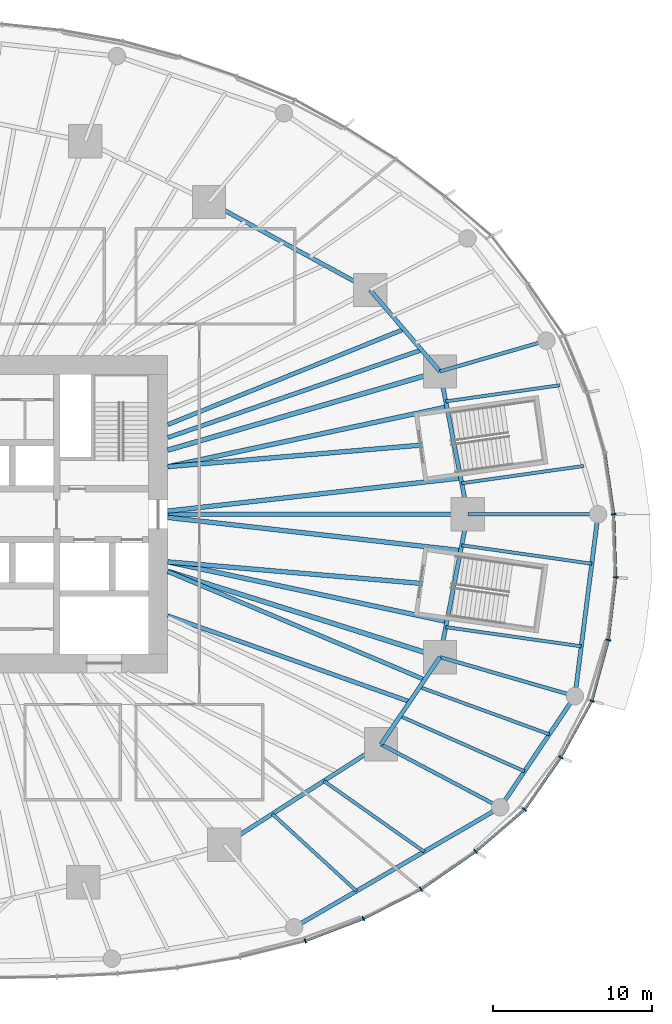
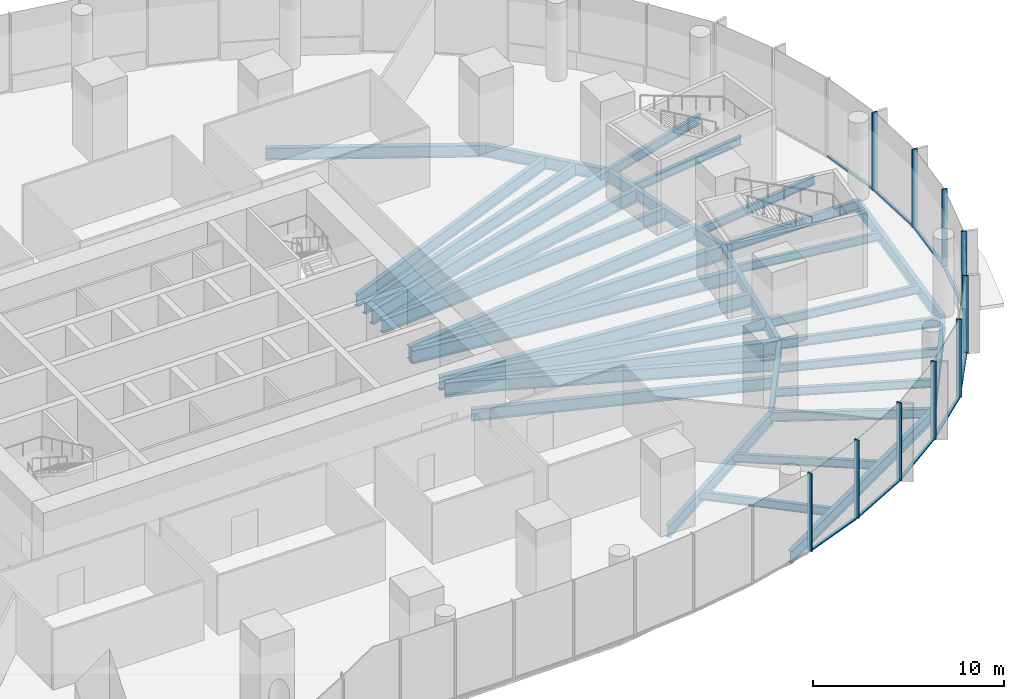
# One storey, part 8 of 28: 34 beams, 20 members, 4 elements without a shape of their own.
"""IFC4 building model written with IfcOpenShell, lengths in metres."""

from ifc_helpers import new_model, si_unit, direction, frame, origin, origin_2d, place, context, subcontext, project, spatial, rectangle, i_section, extrude, material, material_profile, profile_set, type_object, element, aggregate, save


model = new_model("IFC4")

# Units and contexts
model_context = context("Model", 3, precision=1e-05, world=origin(), true_north=direction((0.0, 1.0)))
body_context = subcontext(model_context, "Body", "Model", "MODEL_VIEW")
ifc_project = project(units=[si_unit("LENGTHUNIT", "METRE"), si_unit("AREAUNIT", "SQUARE_METRE"), si_unit("VOLUMEUNIT", "CUBIC_METRE"), si_unit("PLANEANGLEUNIT", "RADIAN"), si_unit("MASSUNIT", "GRAM", prefix="KILO")], contexts=[model_context])

# Site, building, storey
site_placement = place(None, origin())
site = spatial("IfcSite", under=ifc_project, at=site_placement, CompositionType="ELEMENT")
building_placement = place(site_placement, origin())
building = spatial("IfcBuilding", under=site, at=building_placement, Name="Ghaith Harvest Tower", CompositionType="ELEMENT")
storey_placement = place(building_placement, frame((0.0, 0.0, 5.0)))
storey = spatial("IfcBuildingStorey", under=building, at=storey_placement, Name="L01", CompositionType="ELEMENT", Elevation=5.0)

# Curtain wall, member
ifc_material_1 = material(Name="Black anodised aluminium and fritted glass", Category="aluminium")
curtain_wall_type = type_object("IfcCurtainWallType", Name="CW-P CURTAIN WALL", PredefinedType="NOTDEFINED", material=ifc_material_1)
curtain_wall_1_placement = place(storey_placement, origin())
curtain_wall_1 = element("IfcCurtainWall", 1, at=curtain_wall_1_placement, inside=storey, type_object=curtain_wall_type, Name="Curtain wall CW-P bay 01 L01", PredefinedType="NOTDEFINED")
ifc_material_2 = material(Name="Aluminium, black anodised", Category="aluminium")
ifc_material_profile_1 = material_profile(ifc_material_2, rectangle(XDim=0.080078125, YDim=0.300048828125, at=origin_2d()), Name="CW-P MULLION 80x300")
ifc_profile_set_1 = profile_set([ifc_material_profile_1], Name="Aluminium, black anodised")
member_type_1 = type_object("IfcMemberType", Name="CW-P MULLION 80x300", PredefinedType="MULLION", material=ifc_profile_set_1)
member_1_placement = place(storey_placement, frame((42.1201171875, 0.0, 0.0), z_axis=(0.0, 0.0, 1.0), x_axis=(-0.087961950041, 0.996123835346, 0.0)))
member_1 = element("IfcMember", 2, at=member_1_placement, type_object=member_type_1, Name="CW-P mullion 1 bay 01 L01", PredefinedType="MULLION", context=body_context, shape_type="SweptSolid", body=[
    extrude(rectangle(XDim=0.080078125, YDim=0.300048828125, at=origin_2d()), origin(), (0.0, 0.0, 1.0), 5.0),
])

# Curtain wall, members
curtain_wall_2_placement = place(storey_placement, origin())
curtain_wall_2 = element("IfcCurtainWall", 3, at=curtain_wall_2_placement, inside=storey, type_object=curtain_wall_type, Name="Curtain wall CW-P bay 18 L01", PredefinedType="NOTDEFINED")
member_2_placement = place(storey_placement, frame((22.679931640625, -26.895263671875, 0.0), z_axis=(0.0, 0.0, 1.0), x_axis=(0.954194174196, 0.299188031063, 0.0)))
member_2 = element("IfcMember", 4, at=member_2_placement, type_object=member_type_1, Name="CW-P mullion 1 bay 18 L01", PredefinedType="MULLION", context=body_context, shape_type="SweptSolid", body=[
    extrude(rectangle(XDim=0.080078125, YDim=0.300048828125, at=origin_2d()), origin(), (0.0, 0.0, 1.0), 5.0),
])
member_3_placement = place(storey_placement, frame((26.338623046875, -25.4921875, 0.0), z_axis=(0.0, 0.0, 1.0), x_axis=(0.913313717697, 0.407256740972, 0.0)))
member_3 = element("IfcMember", 5, at=member_3_placement, type_object=member_type_1, Name="CW-P mullion 2 bay 18 L01", PredefinedType="MULLION", context=body_context, shape_type="SweptSolid", body=[
    extrude(rectangle(XDim=0.080078125, YDim=0.300048828125, at=origin_2d()), origin(), (0.0, 0.0, 1.0), 5.0),
])
member_4_placement = place(storey_placement, frame((29.9716796875, -23.643798828125, 0.0), z_axis=(0.0, 0.0, 1.0), x_axis=(0.858546653086, 0.512735452719, 0.0)))
member_4 = element("IfcMember", 6, at=member_4_placement, type_object=member_type_1, Name="CW-P mullion 3 bay 18 L01", PredefinedType="MULLION", context=body_context, shape_type="SweptSolid", body=[
    extrude(rectangle(XDim=0.080078125, YDim=0.300048828125, at=origin_2d()), origin(), (0.0, 0.0, 1.0), 5.0),
])

curtain_wall_3_placement = place(storey_placement, origin())
curtain_wall_3 = element("IfcCurtainWall", 7, at=curtain_wall_3_placement, inside=storey, type_object=curtain_wall_type, Name="Curtain wall CW-P bay 19 L01", PredefinedType="NOTDEFINED")
member_5_placement = place(storey_placement, frame((33.41552734375, -21.265869140625, 0.0), z_axis=(0.0, 0.0, 1.0), x_axis=(0.792243116857, 0.610205575026, 0.0)))
member_5 = element("IfcMember", 8, at=member_5_placement, type_object=member_type_1, Name="CW-P mullion 1 bay 19 L01", PredefinedType="MULLION", context=body_context, shape_type="SweptSolid", body=[
    extrude(rectangle(XDim=0.080078125, YDim=0.300048828125, at=origin_2d()), origin(), (0.0, 0.0, 1.0), 5.0),
])
member_6_placement = place(storey_placement, frame((36.5, -18.615478515625, 0.0), z_axis=(0.0, 0.0, 1.0), x_axis=(0.670571788871, 0.741844644094, 0.0)))
member_6 = element("IfcMember", 9, at=member_6_placement, type_object=member_type_1, Name="CW-P mullion 2 bay 19 L01", PredefinedType="MULLION", context=body_context, shape_type="SweptSolid", body=[
    extrude(rectangle(XDim=0.080078125, YDim=0.300048828125, at=origin_2d()), origin(), (0.0, 0.0, 1.0), 5.0),
])
member_7_placement = place(storey_placement, frame((38.77978515625, -15.33154296875, 0.0), z_axis=(0.0, 0.0, 1.0), x_axis=(0.526226687845, 0.850344326141, 0.0)))
member_7 = element("IfcMember", 10, at=member_7_placement, type_object=member_type_1, Name="CW-P mullion 3 bay 19 L01", PredefinedType="MULLION", context=body_context, shape_type="SweptSolid", body=[
    extrude(rectangle(XDim=0.080078125, YDim=0.300048828125, at=origin_2d()), origin(), (0.0, 0.0, 1.0), 5.0),
])

curtain_wall_4_placement = place(storey_placement, origin())
curtain_wall_4 = element("IfcCurtainWall", 11, at=curtain_wall_4_placement, inside=storey, type_object=curtain_wall_type, Name="Curtain wall CW-P bay 20 L01", PredefinedType="NOTDEFINED")
member_8_placement = place(storey_placement, frame((40.734375, -11.773193359375, 0.0), z_axis=(0.0, 0.0, 1.0), x_axis=(0.375561809381, 0.926797349659, 0.0)))
member_8 = element("IfcMember", 12, at=member_8_placement, type_object=member_type_1, Name="CW-P mullion 1 bay 20 L01", PredefinedType="MULLION", context=body_context, shape_type="SweptSolid", body=[
    extrude(rectangle(XDim=0.080078125, YDim=0.300048828125, at=origin_2d()), origin(), (0.0, 0.0, 1.0), 5.0),
])
member_9_placement = place(storey_placement, frame((41.779052734375, -7.9296875, 0.0), z_axis=(0.0, 0.0, 1.0), x_axis=(0.190602324149, 0.981667333687, 0.0)))
member_9 = element("IfcMember", 13, at=member_9_placement, type_object=member_type_1, Name="CW-P mullion 2 bay 20 L01", PredefinedType="MULLION", context=body_context, shape_type="SweptSolid", body=[
    extrude(rectangle(XDim=0.080078125, YDim=0.300048828125, at=origin_2d()), origin(), (0.0, 0.0, 1.0), 5.0),
])
member_10_placement = place(storey_placement, frame((42.24853515625, -3.973876953125, 0.0), z_axis=(0.0, 0.0, 1.0), x_axis=(0.042954984448, 0.999077008699, 0.0)))
member_10 = element("IfcMember", 14, at=member_10_placement, type_object=member_type_1, Name="CW-P mullion 3 bay 20 L01", PredefinedType="MULLION", context=body_context, shape_type="SweptSolid", body=[
    extrude(rectangle(XDim=0.080078125, YDim=0.300048828125, at=origin_2d()), origin(), (0.0, 0.0, 1.0), 5.0),
])

# Member
ifc_material_3 = material(Name="Aluminium, black anodised", Category="aluminium")
ifc_material_profile_2 = material_profile(ifc_material_3, rectangle(XDim=0.179931640625, YDim=0.080078125, at=origin_2d()), Name="CW-P TRANSOM 180x80")
ifc_profile_set_2 = profile_set([ifc_material_profile_2], Name="Aluminium, black anodised")
member_type_2 = type_object("IfcMemberType", Name="CW-P TRANSOM 180x80", PredefinedType="USERDEFINED", material=ifc_profile_set_2)
member_11_placement = place(storey_placement, frame((42.1142578125, 0.03955078125, 0.0400390625), z_axis=(-0.143664608968, 0.989626434636, 0.0), x_axis=(-0.989626434636, -0.143664608968, 0.0)))
member_11 = element("IfcMember", 15, at=member_11_placement, type_object=member_type_2, Name="CW-P transom 1 bay 01 L01", ObjectType="TRANSOM", PredefinedType="USERDEFINED", context=body_context, shape_type="SweptSolid", body=[
    extrude(rectangle(XDim=0.179931640625, YDim=0.080078125, at=origin_2d()), origin(), (0.0, 0.0, 1.0), 3.869384765625),
])

aggregate(curtain_wall_1, [member_1, member_11])

member_12_placement = place(storey_placement, frame((22.71728515625, -26.880859375, 0.0400390625), z_axis=(0.933710682885, 0.358028435556, 0.0), x_axis=(-0.358028435556, 0.933710682885, 0.0)))
member_12 = element("IfcMember", 16, at=member_12_placement, type_object=member_type_2, Name="CW-P transom 1 bay 18 L01", ObjectType="TRANSOM", PredefinedType="USERDEFINED", context=body_context, shape_type="SweptSolid", body=[
    extrude(rectangle(XDim=0.179931640625, YDim=0.080078125, at=origin_2d()), origin(), (0.0, 0.0, 1.0), 3.83837890625),
])

member_13_placement = place(storey_placement, frame((26.374267578125, -25.47412109375, 0.0400390625), z_axis=(0.891265035365, 0.45348278549, 0.0), x_axis=(-0.45348278549, 0.891265035365, 0.0)))
member_13 = element("IfcMember", 17, at=member_13_placement, type_object=member_type_2, Name="CW-P transom 2 bay 18 L01", ObjectType="TRANSOM", PredefinedType="USERDEFINED", context=body_context, shape_type="SweptSolid", body=[
    extrude(rectangle(XDim=0.179931640625, YDim=0.080078125, at=origin_2d()), origin(), (0.0, 0.0, 1.0), 3.996337890625),
])

member_14_placement = place(storey_placement, frame((30.004638671875, -23.620849609375, 0.0400390625), z_axis=(0.822908818437, 0.568173456384, 0.0), x_axis=(-0.568173456384, 0.822908818437, 0.0)))
member_14 = element("IfcMember", 18, at=member_14_placement, type_object=member_type_2, Name="CW-P transom 3 bay 18 L01", ObjectType="TRANSOM", PredefinedType="USERDEFINED", context=body_context, shape_type="SweptSolid", body=[
    extrude(rectangle(XDim=0.179931640625, YDim=0.080078125, at=origin_2d()), origin(), (0.0, 0.0, 1.0), 4.10498046875),
])

aggregate(curtain_wall_2, [member_2, member_12, member_3, member_13, member_4, member_14])

member_15_placement = place(storey_placement, frame((33.44580078125, -21.23974609375, 0.0400390625), z_axis=(0.758486641581, 0.65168858709, 0.0), x_axis=(-0.65168858709, 0.758486641581, 0.0)))
member_15 = element("IfcMember", 19, at=member_15_placement, type_object=member_type_2, Name="CW-P transom 1 bay 19 L01", ObjectType="TRANSOM", PredefinedType="USERDEFINED", context=body_context, shape_type="SweptSolid", body=[
    extrude(rectangle(XDim=0.179931640625, YDim=0.080078125, at=origin_2d()), origin(), (0.0, 0.0, 1.0), 3.98681640625),
])

member_16_placement = place(storey_placement, frame((36.522705078125, -18.58251953125, 0.0400390625), z_axis=(0.570262668802, 0.821462408496, 0.0), x_axis=(-0.821462408496, 0.570262668802, 0.0)))
member_16 = element("IfcMember", 20, at=member_16_placement, type_object=member_type_2, Name="CW-P transom 2 bay 19 L01", ObjectType="TRANSOM", PredefinedType="USERDEFINED", context=body_context, shape_type="SweptSolid", body=[
    extrude(rectangle(XDim=0.179931640625, YDim=0.080078125, at=origin_2d()), origin(), (0.0, 0.0, 1.0), 3.917724609375),
])

member_17_placement = place(storey_placement, frame((38.798828125, -15.29638671875, 0.0400390625), z_axis=(0.481475987342, 0.876459282347, 0.0), x_axis=(-0.876459282347, 0.481475987342, 0.0)))
member_17 = element("IfcMember", 21, at=member_17_placement, type_object=member_type_2, Name="CW-P transom 3 bay 19 L01", ObjectType="TRANSOM", PredefinedType="USERDEFINED", context=body_context, shape_type="SweptSolid", body=[
    extrude(rectangle(XDim=0.179931640625, YDim=0.080078125, at=origin_2d()), origin(), (0.0, 0.0, 1.0), 3.97998046875),
])

aggregate(curtain_wall_3, [member_5, member_15, member_6, member_16, member_7, member_17])

member_18_placement = place(storey_placement, frame((40.744873046875, -11.734375, 0.0400390625), z_axis=(0.262296866032, 0.964987230004, 0.0), x_axis=(-0.964987230004, 0.262296866032, 0.0)))
member_18 = element("IfcMember", 22, at=member_18_placement, type_object=member_type_2, Name="CW-P transom 1 bay 20 L01", ObjectType="TRANSOM", PredefinedType="USERDEFINED", context=body_context, shape_type="SweptSolid", body=[
    extrude(rectangle(XDim=0.179931640625, YDim=0.080078125, at=origin_2d()), origin(), (0.0, 0.0, 1.0), 3.90283203125),
])

member_19_placement = place(storey_placement, frame((41.78369140625, -7.889892578125, 0.0400390625), z_axis=(0.117897187505, 0.993025806905, 0.0), x_axis=(-0.993025806905, 0.117897187505, 0.0)))
member_19 = element("IfcMember", 23, at=member_19_placement, type_object=member_type_2, Name="CW-P transom 2 bay 20 L01", ObjectType="TRANSOM", PredefinedType="USERDEFINED", context=body_context, shape_type="SweptSolid", body=[
    extrude(rectangle(XDim=0.179931640625, YDim=0.080078125, at=origin_2d()), origin(), (0.0, 0.0, 1.0), 3.903564453125),
])

member_20_placement = place(storey_placement, frame((42.247314453125, -3.933837890625, 0.0400390625), z_axis=(-0.03233620646, 0.999477048137, 0.0), x_axis=(-0.999477048137, -0.03233620646, 0.0)))
member_20 = element("IfcMember", 24, at=member_20_placement, type_object=member_type_2, Name="CW-P transom 3 bay 20 L01", ObjectType="TRANSOM", PredefinedType="USERDEFINED", context=body_context, shape_type="SweptSolid", body=[
    extrude(rectangle(XDim=0.179931640625, YDim=0.080078125, at=origin_2d()), origin(), (0.0, 0.0, 1.0), 3.895751953125),
])

aggregate(curtain_wall_4, [member_8, member_18, member_9, member_19, member_10, member_20])

# Beams
ifc_material_4 = material(Name="Steel ASTM A992 Grade 50", Category="steel")
ifc_material_profile_3 = material_profile(ifc_material_4, i_section(OverallWidth=0.26806640625, OverallDepth=0.77001953125, WebThickness=0.015625, FlangeThickness=0.025390625, at=origin_2d()), Name="W760X196")
ifc_profile_set_3 = profile_set([ifc_material_profile_3], Name="Steel ASTM A992 Grade 50")
beam_type_1 = type_object("IfcBeamType", Name="E760-196 W760X196", PredefinedType="SPANDREL", material=ifc_profile_set_3)
beam_1_placement = place(storey_placement, frame((32.925048828125, 0.0, -0.635009765625), z_axis=(-0.191653479461, 0.981462655332, 0.0), x_axis=(-0.981462655332, -0.191653479461, 0.0)))
element("IfcBeam", 25, at=beam_1_placement, inside=storey, type_object=beam_type_1, Name="Edge beam E01 L01", PredefinedType="SPANDREL", context=body_context, shape_type="SweptSolid", body=[
    extrude(i_section(OverallWidth=0.26806640625, OverallDepth=0.77001953125, WebThickness=0.015625, FlangeThickness=0.025390625, at=origin_2d()), origin(), (0.0, 0.0, 1.0), 9.17822265625),
])
beam_2_placement = place(storey_placement, frame((31.166015625, 9.008056640625, -0.635009765625), z_axis=(-0.65056255283, 0.759452674533, 0.0), x_axis=(-0.759452674533, -0.65056255283, 0.0)))
element("IfcBeam", 26, at=beam_2_placement, inside=storey, type_object=beam_type_1, Name="Edge beam E02 L01", PredefinedType="SPANDREL", context=body_context, shape_type="SweptSolid", body=[
    extrude(i_section(OverallWidth=0.26806640625, OverallDepth=0.77001953125, WebThickness=0.015625, FlangeThickness=0.025390625, at=origin_2d()), origin(), (0.0, 0.0, 1.0), 6.7666015625),
])
beam_3_placement = place(storey_placement, frame((26.763916015625, 14.14697265625, -0.635009765625), z_axis=(-0.877588218279, 0.479415184509, 0.0), x_axis=(-0.479415184509, -0.877588218279, 0.0)))
element("IfcBeam", 27, at=beam_3_placement, inside=storey, type_object=beam_type_1, Name="Edge beam E03 L01", PredefinedType="SPANDREL", context=body_context, shape_type="SweptSolid", body=[
    extrude(i_section(OverallWidth=0.26806640625, OverallDepth=0.77001953125, WebThickness=0.015625, FlangeThickness=0.025390625, at=origin_2d()), origin(), (0.0, 0.0, 1.0), 11.57275390625),
])
beam_4_placement = place(storey_placement, frame((17.572021484375, -20.8369140625, -0.635009765625), z_axis=(0.842014649705, 0.539454659524, 0.0), x_axis=(-0.539454659524, 0.842014649705, 0.0)))
element("IfcBeam", 28, at=beam_4_placement, inside=storey, type_object=beam_type_1, Name="Edge beam E18 L01", PredefinedType="SPANDREL", context=body_context, shape_type="SweptSolid", body=[
    extrude(i_section(OverallWidth=0.26806640625, OverallDepth=0.77001953125, WebThickness=0.015625, FlangeThickness=0.025390625, at=origin_2d()), origin(), (0.0, 0.0, 1.0), 11.730224609375),
])
beam_5_placement = place(storey_placement, frame((27.448974609375, -14.509033203125, -0.635009765625), z_axis=(0.559874470017, 0.828577442261, 0.0), x_axis=(-0.828577442261, 0.559874470017, 0.0)))
element("IfcBeam", 29, at=beam_5_placement, inside=storey, type_object=beam_type_1, Name="Edge beam E19 L01", PredefinedType="SPANDREL", context=body_context, shape_type="SweptSolid", body=[
    extrude(i_section(OverallWidth=0.26806640625, OverallDepth=0.77001953125, WebThickness=0.015625, FlangeThickness=0.025390625, at=origin_2d()), origin(), (0.0, 0.0, 1.0), 6.63916015625),
])
beam_6_placement = place(storey_placement, frame((31.166015625, -9.008056640625, -0.635009765625), z_axis=(0.191653479461, 0.981462655332, 0.0), x_axis=(-0.981462655332, 0.191653479461, 0.0)))
element("IfcBeam", 30, at=beam_6_placement, inside=storey, type_object=beam_type_1, Name="Edge beam E20 L01", PredefinedType="SPANDREL", context=body_context, shape_type="SweptSolid", body=[
    extrude(i_section(OverallWidth=0.26806640625, OverallDepth=0.77001953125, WebThickness=0.015625, FlangeThickness=0.025390625, at=origin_2d()), origin(), (0.0, 0.0, 1.0), 9.17822265625),
])
beam_7_placement = place(storey_placement, frame((21.968994140625, -26.052001953125, -0.635009765625), z_axis=(0.864235316994, 0.503087782459, 0.0), x_axis=(-0.503087782459, 0.864235316994, 0.0)))
element("IfcBeam", 31, at=beam_7_placement, inside=storey, type_object=beam_type_1, Name="Podium edge beam PE18 L01", PredefinedType="SPANDREL", context=body_context, shape_type="SweptSolid", body=[
    extrude(i_section(OverallWidth=0.26806640625, OverallDepth=0.77001953125, WebThickness=0.015625, FlangeThickness=0.025390625, at=origin_2d()), origin(), (0.0, 0.0, 1.0), 15.043212890625),
])
beam_8_placement = place(storey_placement, frame((34.969970703125, -18.48388671875, -0.635009765625), z_axis=(0.557510714814, 0.830169743406, 0.0), x_axis=(-0.830169743406, 0.557510714814, 0.0)))
element("IfcBeam", 32, at=beam_8_placement, inside=storey, type_object=beam_type_1, Name="Podium edge beam PE19 L01", PredefinedType="SPANDREL", context=body_context, shape_type="SweptSolid", body=[
    extrude(i_section(OverallWidth=0.26806640625, OverallDepth=0.77001953125, WebThickness=0.015625, FlangeThickness=0.025390625, at=origin_2d()), origin(), (0.0, 0.0, 1.0), 8.449951171875),
])
beam_9_placement = place(storey_placement, frame((39.680908203125, -11.468994140625, -0.635009765625), z_axis=(0.12629810636, 0.991992332798, 0.0), x_axis=(-0.991992332798, 0.12629810636, 0.0)))
element("IfcBeam", 33, at=beam_9_placement, inside=storey, type_object=beam_type_1, Name="Podium edge beam PE20 L01", PredefinedType="SPANDREL", context=body_context, shape_type="SweptSolid", body=[
    extrude(i_section(OverallWidth=0.26806640625, OverallDepth=0.77001953125, WebThickness=0.015625, FlangeThickness=0.025390625, at=origin_2d()), origin(), (0.0, 0.0, 1.0), 11.5615234375),
])
ifc_material_5 = material(Name="Steel ASTM A992 Grade 50", Category="steel")
ifc_material_profile_4 = material_profile(ifc_material_5, i_section(OverallWidth=0.22802734375, OverallDepth=0.60302734375, WebThickness=0.010498046875, FlangeThickness=0.014892578125, at=origin_2d()), Name="W610X101")
ifc_profile_set_4 = profile_set([ifc_material_profile_4], Name="Steel ASTM A992 Grade 50")
beam_type_2 = type_object("IfcBeamType", Name="G610-101 W610X101", PredefinedType="BEAM", material=ifc_profile_set_4)
beam_10_placement = place(storey_placement, frame((32.925048828125, 0.0, -0.551513671875), z_axis=(1.0, 0.0, 0.0), x_axis=(0.0, 1.0, 0.0)))
element("IfcBeam", 34, at=beam_10_placement, inside=storey, type_object=beam_type_2, Name="Podium radial beam PR01 L01", PredefinedType="BEAM", context=body_context, shape_type="SweptSolid", body=[
    extrude(i_section(OverallWidth=0.22802734375, OverallDepth=0.60302734375, WebThickness=0.010498046875, FlangeThickness=0.014892578125, at=origin_2d()), origin(), (0.0, 0.0, 1.0), 8.216064453125),
])
beam_11_placement = place(storey_placement, frame((31.166015625, 9.008056640625, -0.551513671875), z_axis=(0.960708183392, 0.277560419303, 0.0), x_axis=(-0.277560419303, 0.960708183392, 0.0)))
element("IfcBeam", 35, at=beam_11_placement, inside=storey, type_object=beam_type_2, Name="Podium radial beam PR02 L01", PredefinedType="BEAM", context=body_context, shape_type="SweptSolid", body=[
    extrude(i_section(OverallWidth=0.22802734375, OverallDepth=0.60302734375, WebThickness=0.010498046875, FlangeThickness=0.014892578125, at=origin_2d()), origin(), (0.0, 0.0, 1.0), 6.99267578125),
])
beam_12_placement = place(storey_placement, frame((27.448974609375, -14.509033203125, -0.551513671875), z_axis=(0.884120685754, -0.46725861471, 0.0), x_axis=(0.46725861471, 0.884120685754, 0.0)))
element("IfcBeam", 36, at=beam_12_placement, inside=storey, type_object=beam_type_2, Name="Podium radial beam PR19 L01", PredefinedType="BEAM", context=body_context, shape_type="SweptSolid", body=[
    extrude(i_section(OverallWidth=0.22802734375, OverallDepth=0.60302734375, WebThickness=0.010498046875, FlangeThickness=0.014892578125, at=origin_2d()), origin(), (0.0, 0.0, 1.0), 8.5068359375),
])
beam_13_placement = place(storey_placement, frame((31.166015625, -9.008056640625, -0.551513671875), z_axis=(0.960681697446, -0.277652077594, 0.0), x_axis=(0.277652077594, 0.960681697446, 0.0)))
element("IfcBeam", 37, at=beam_13_placement, inside=storey, type_object=beam_type_2, Name="Podium radial beam PR20 L01", PredefinedType="BEAM", context=body_context, shape_type="SweptSolid", body=[
    extrude(i_section(OverallWidth=0.22802734375, OverallDepth=0.60302734375, WebThickness=0.010498046875, FlangeThickness=0.014892578125, at=origin_2d()), origin(), (0.0, 0.0, 1.0), 8.86328125),
])
ifc_material_6 = material(Name="Steel ASTM A992 Grade 50", Category="steel")
ifc_material_profile_5 = material_profile(ifc_material_6, i_section(OverallWidth=0.31005859375, OverallDepth=0.927001953125, WebThickness=0.019287109375, FlangeThickness=0.031982421875, at=origin_2d()), Name="W920X289")
ifc_profile_set_5 = profile_set([ifc_material_profile_5], Name="Steel ASTM A992 Grade 50")
beam_type_3 = type_object("IfcBeamType", Name="G920-289 W920X289", PredefinedType="BEAM", material=ifc_profile_set_5)
beam_14_placement = place(storey_placement, frame((14.0, 4.04638671875, -0.71337890625), z_axis=(0.960675395102, 0.277673882903, 0.0), x_axis=(-0.277673882903, 0.960675395102, 0.0)))
element("IfcBeam", 38, at=beam_14_placement, inside=storey, type_object=beam_type_3, Name="Radial girder G02 L01", PredefinedType="BEAM", context=body_context, shape_type="SweptSolid", body=[
    extrude(i_section(OverallWidth=0.31005859375, OverallDepth=0.927001953125, WebThickness=0.019287109375, FlangeThickness=0.031982421875, at=origin_2d()), origin(), (0.0, 0.0, 1.0), 17.86865234375),
])
beam_15_placement = place(storey_placement, frame((14.0, -3.60009765625, -0.71337890625), z_axis=(0.953788071692, -0.300480139607, 0.0), x_axis=(0.300480139607, 0.953788071692, 0.0)))
element("IfcBeam", 39, at=beam_15_placement, inside=storey, type_object=beam_type_3, Name="Radial girder G20 L01", PredefinedType="BEAM", context=body_context, shape_type="SweptSolid", body=[
    extrude(i_section(OverallWidth=0.31005859375, OverallDepth=0.927001953125, WebThickness=0.019287109375, FlangeThickness=0.031982421875, at=origin_2d()), origin(), (0.0, 0.0, 1.0), 17.997802734375),
])
ifc_material_7 = material(Name="Steel ASTM A992 Grade 50", Category="steel")
ifc_material_profile_6 = material_profile(ifc_material_7, i_section(OverallWidth=0.306884765625, OverallDepth=0.94189453125, WebThickness=0.022216796875, FlangeThickness=0.039794921875, at=origin_2d()), Name="W920X345")
ifc_profile_set_6 = profile_set([ifc_material_profile_6], Name="Steel ASTM A992 Grade 50")
beam_type_4 = type_object("IfcBeamType", Name="G920-345 W920X345", PredefinedType="BEAM", material=ifc_profile_set_6)
beam_16_placement = place(storey_placement, frame((14.0, 0.0, -0.720947265625), z_axis=(1.0, 0.0, 0.0), x_axis=(0.0, 1.0, 0.0)))
element("IfcBeam", 40, at=beam_16_placement, inside=storey, type_object=beam_type_4, Name="Radial girder G01 L01", PredefinedType="BEAM", context=body_context, shape_type="SweptSolid", body=[
    extrude(i_section(OverallWidth=0.306884765625, OverallDepth=0.94189453125, WebThickness=0.022216796875, FlangeThickness=0.039794921875, at=origin_2d()), origin(), (0.0, 0.0, 1.0), 18.925048828125),
])
ifc_material_8 = material(Name="Steel ASTM A992 Grade 50", Category="steel")
ifc_material_profile_7 = material_profile(ifc_material_8, i_section(OverallWidth=0.208984375, OverallDepth=0.532958984375, WebThickness=0.01025390625, FlangeThickness=0.015625, at=origin_2d()), Name="W530X92")
ifc_profile_set_7 = profile_set([ifc_material_profile_7], Name="Steel ASTM A992 Grade 50")
beam_type_5 = type_object("IfcBeamType", Name="J530-92 W530X92", PredefinedType="JOIST", material=ifc_profile_set_7)
beam_17_placement = place(storey_placement, frame((32.542724609375, 1.957275390625, -0.5166015625), z_axis=(0.990124092618, 0.140193727454, 0.0), x_axis=(-0.140193727454, 0.990124092618, 0.0)))
element("IfcBeam", 41, at=beam_17_placement, inside=storey, type_object=beam_type_5, Name="Podium joist PJ01.1 L01", PredefinedType="JOIST", context=body_context, shape_type="SweptSolid", body=[
    extrude(i_section(OverallWidth=0.208984375, OverallDepth=0.532958984375, WebThickness=0.01025390625, FlangeThickness=0.015625, at=origin_2d()), origin(), (0.0, 0.0, 1.0), 7.7685546875),
])
beam_18_placement = place(storey_placement, frame((31.535400390625, 7.116943359375, -0.5166015625), z_axis=(0.990121662558, 0.140210888783, 0.0), x_axis=(-0.140210888783, 0.990121662558, 0.0)))
element("IfcBeam", 42, at=beam_18_placement, inside=storey, type_object=beam_type_5, Name="Podium joist PJ01.2 L01", PredefinedType="JOIST", context=body_context, shape_type="SweptSolid", body=[
    extrude(i_section(OverallWidth=0.208984375, OverallDepth=0.532958984375, WebThickness=0.01025390625, FlangeThickness=0.015625, at=origin_2d()), origin(), (0.0, 0.0, 1.0), 7.257568359375),
])
beam_19_placement = place(storey_placement, frame((20.601806640625, -18.895751953125, -0.5166015625), z_axis=(0.736961201282, -0.675935047031, 0.0), x_axis=(0.675935047031, 0.736961201282, 0.0)))
element("IfcBeam", 43, at=beam_19_placement, inside=storey, type_object=beam_type_5, Name="Podium joist PJ18.1 L01", PredefinedType="JOIST", context=body_context, shape_type="SweptSolid", body=[
    extrude(i_section(OverallWidth=0.208984375, OverallDepth=0.532958984375, WebThickness=0.01025390625, FlangeThickness=0.015625, at=origin_2d()), origin(), (0.0, 0.0, 1.0), 7.197021484375),
])
beam_20_placement = place(storey_placement, frame((23.84619140625, -16.8173828125, -0.5166015625), z_axis=(0.817218702852, -0.576327677375, 0.0), x_axis=(0.576327677375, 0.817218702852, 0.0)))
element("IfcBeam", 44, at=beam_20_placement, inside=storey, type_object=beam_type_5, Name="Podium joist PJ18.2 L01", PredefinedType="JOIST", context=body_context, shape_type="SweptSolid", body=[
    extrude(i_section(OverallWidth=0.208984375, OverallDepth=0.532958984375, WebThickness=0.01025390625, FlangeThickness=0.015625, at=origin_2d()), origin(), (0.0, 0.0, 1.0), 7.739013671875),
])
beam_21_placement = place(storey_placement, frame((28.654052734375, -12.7255859375, -0.5166015625), z_axis=(0.913928815615, -0.405874512612, 0.0), x_axis=(0.405874512612, 0.913928815615, 0.0)))
element("IfcBeam", 45, at=beam_21_placement, inside=storey, type_object=beam_type_5, Name="Podium joist PJ19.1 L01", PredefinedType="JOIST", context=body_context, shape_type="SweptSolid", body=[
    extrude(i_section(OverallWidth=0.208984375, OverallDepth=0.532958984375, WebThickness=0.01025390625, FlangeThickness=0.015625, at=origin_2d()), origin(), (0.0, 0.0, 1.0), 8.58251953125),
])
beam_22_placement = place(storey_placement, frame((29.888671875, -10.8984375, -0.5166015625), z_axis=(0.939491552624, -0.342572069129, 0.0), x_axis=(0.342572069129, 0.939491552624, 0.0)))
element("IfcBeam", 46, at=beam_22_placement, inside=storey, type_object=beam_type_5, Name="Podium joist PJ19.2 L01", PredefinedType="JOIST", context=body_context, shape_type="SweptSolid", body=[
    extrude(i_section(OverallWidth=0.208984375, OverallDepth=0.532958984375, WebThickness=0.01025390625, FlangeThickness=0.015625, at=origin_2d()), origin(), (0.0, 0.0, 1.0), 8.7001953125),
])
beam_23_placement = place(storey_placement, frame((31.535400390625, -7.116943359375, -0.5166015625), z_axis=(0.990120745012, -0.140217368026, 0.0), x_axis=(0.140217368026, 0.990120745012, 0.0)))
element("IfcBeam", 47, at=beam_23_placement, inside=storey, type_object=beam_type_5, Name="Podium joist PJ20.1 L01", PredefinedType="JOIST", context=body_context, shape_type="SweptSolid", body=[
    extrude(i_section(OverallWidth=0.208984375, OverallDepth=0.532958984375, WebThickness=0.01025390625, FlangeThickness=0.015625, at=origin_2d()), origin(), (0.0, 0.0, 1.0), 8.630859375),
])
beam_24_placement = place(storey_placement, frame((32.542724609375, -1.957275390625, -0.5166015625), z_axis=(0.990121478351, -0.140212189584, 0.0), x_axis=(0.140212189584, 0.990121478351, 0.0)))
element("IfcBeam", 48, at=beam_24_placement, inside=storey, type_object=beam_type_5, Name="Podium joist PJ20.2 L01", PredefinedType="JOIST", context=body_context, shape_type="SweptSolid", body=[
    extrude(i_section(OverallWidth=0.208984375, OverallDepth=0.532958984375, WebThickness=0.01025390625, FlangeThickness=0.015625, at=origin_2d()), origin(), (0.0, 0.0, 1.0), 8.282958984375),
])
ifc_material_9 = material(Name="Steel ASTM A992 Grade 50", Category="steel")
ifc_material_profile_8 = material_profile(ifc_material_9, i_section(OverallWidth=0.26806640625, OverallDepth=0.77001953125, WebThickness=0.015625, FlangeThickness=0.025390625, at=origin_2d()), Name="W760X196")
ifc_profile_set_8 = profile_set([ifc_material_profile_8], Name="Steel ASTM A992 Grade 50")
beam_type_6 = type_object("IfcBeamType", Name="J760-196 W760X196", PredefinedType="JOIST", material=ifc_profile_set_8)
beam_25_placement = place(storey_placement, frame((14.0, 4.835693359375, -0.635009765625), z_axis=(0.945204767809, 0.326478095607, 0.0), x_axis=(-0.326478095607, 0.945204767809, 0.0)))
element("IfcBeam", 49, at=beam_25_placement, inside=storey, type_object=beam_type_6, Name="Joist J02.1 L01", PredefinedType="JOIST", context=body_context, shape_type="SweptSolid", body=[
    extrude(i_section(OverallWidth=0.26806640625, OverallDepth=0.77001953125, WebThickness=0.015625, FlangeThickness=0.025390625, at=origin_2d()), origin(), (0.0, 0.0, 1.0), 16.932373046875),
])
beam_26_placement = place(storey_placement, frame((14.0, 5.653564453125, -0.635009765625), z_axis=(0.927252192145, 0.374437407536, 0.0), x_axis=(-0.374437407536, 0.927252192145, 0.0)))
element("IfcBeam", 50, at=beam_26_placement, inside=storey, type_object=beam_type_6, Name="Joist J02.2 L01", PredefinedType="JOIST", context=body_context, shape_type="SweptSolid", body=[
    extrude(i_section(OverallWidth=0.26806640625, OverallDepth=0.77001953125, WebThickness=0.015625, FlangeThickness=0.025390625, at=origin_2d()), origin(), (0.0, 0.0, 1.0), 16.057373046875),
])
beam_27_placement = place(storey_placement, frame((14.0, -6.39990234375, -0.635009765625), z_axis=(0.942399857711, -0.334488427581, 0.0), x_axis=(0.334488427581, 0.942399857711, 0.0)))
element("IfcBeam", 51, at=beam_27_placement, inside=storey, type_object=beam_type_6, Name="Joist J19.2 L01", PredefinedType="JOIST", context=body_context, shape_type="SweptSolid", body=[
    extrude(i_section(OverallWidth=0.26806640625, OverallDepth=0.77001953125, WebThickness=0.015625, FlangeThickness=0.025390625, at=origin_2d()), origin(), (0.0, 0.0, 1.0), 16.199951171875),
])
beam_28_placement = place(storey_placement, frame((14.0, -3.60009765625, -0.635009765625), z_axis=(0.921432978784, -0.388537341333, 0.0), x_axis=(0.388537341333, 0.921432978784, 0.0)))
element("IfcBeam", 52, at=beam_28_placement, inside=storey, type_object=beam_type_6, Name="Joist J19.3 L01", PredefinedType="JOIST", context=body_context, shape_type="SweptSolid", body=[
    extrude(i_section(OverallWidth=0.26806640625, OverallDepth=0.77001953125, WebThickness=0.015625, FlangeThickness=0.025390625, at=origin_2d()), origin(), (0.0, 0.0, 1.0), 17.585205078125),
])
ifc_material_10 = material(Name="Steel ASTM A992 Grade 50", Category="steel")
ifc_material_profile_9 = material_profile(ifc_material_10, i_section(OverallWidth=0.2939453125, OverallDepth=0.85107421875, WebThickness=0.01611328125, FlangeThickness=0.02685546875, at=origin_2d()), Name="W840X226")
ifc_profile_set_9 = profile_set([ifc_material_profile_9], Name="Steel ASTM A992 Grade 50")
beam_type_7 = type_object("IfcBeamType", Name="J840-226 W840X226", PredefinedType="JOIST", material=ifc_profile_set_9)
beam_29_placement = place(storey_placement, frame((14.0, 0.199951171875, -0.675537109375), z_axis=(0.993675458798, 0.112290171352, 0.0), x_axis=(-0.112290171352, 0.993675458798, 0.0)))
element("IfcBeam", 53, at=beam_29_placement, inside=storey, type_object=beam_type_7, Name="Joist J01.1 L01", PredefinedType="JOIST", context=body_context, shape_type="SweptSolid", body=[
    extrude(i_section(OverallWidth=0.2939453125, OverallDepth=0.85107421875, WebThickness=0.01611328125, FlangeThickness=0.02685546875, at=origin_2d()), origin(), (0.0, 0.0, 1.0), 18.595947265625),
])
beam_30_placement = place(storey_placement, frame((14.0, 3.0, -0.675537109375), z_axis=(0.996389274474, 0.084902377546, 0.0), x_axis=(-0.084902377546, 0.996389274474, 0.0)))
element("IfcBeam", 54, at=beam_30_placement, inside=storey, type_object=beam_type_7, Name="Joist J01.2 L01", PredefinedType="JOIST", context=body_context, shape_type="SweptSolid", body=[
    extrude(i_section(OverallWidth=0.2939453125, OverallDepth=0.85107421875, WebThickness=0.01611328125, FlangeThickness=0.02685546875, at=origin_2d()), origin(), (0.0, 0.0, 1.0), 18.1044921875),
])
for number, where, z_axis, x_axis, name in (
    (55, (14.0, 3.0, -0.675537109375), (0.977831380626, 0.209393865869, 0.0), (-0.209393865869, 0.977831380626, 0.0), "Joist J01.3 L01"),
    (56, (14.0, -3.0, -0.675537109375), (0.977831380626, -0.209393865869, 0.0), (0.209393865869, 0.977831380626, 0.0), "Joist J20.1 L01"),
):
    element("IfcBeam", number, at=place(storey_placement, frame(where, z_axis=z_axis, x_axis=x_axis)), inside=storey, type_object=beam_type_7, Name=name, PredefinedType="JOIST", context=body_context, shape_type="SweptSolid", body=[
        extrude(i_section(OverallWidth=0.2939453125, OverallDepth=0.85107421875, WebThickness=0.01611328125, FlangeThickness=0.02685546875, at=origin_2d()), origin(), (0.0, 0.0, 1.0), 18.002197265625),
    ])
beam_31_placement = place(storey_placement, frame((14.0, -3.0, -0.675537109375), z_axis=(0.996389274474, -0.084902377546, 0.0), x_axis=(0.084902377546, 0.996389274474, 0.0)))
element("IfcBeam", 57, at=beam_31_placement, inside=storey, type_object=beam_type_7, Name="Joist J20.2 L01", PredefinedType="JOIST", context=body_context, shape_type="SweptSolid", body=[
    extrude(i_section(OverallWidth=0.2939453125, OverallDepth=0.85107421875, WebThickness=0.01611328125, FlangeThickness=0.02685546875, at=origin_2d()), origin(), (0.0, 0.0, 1.0), 18.1044921875),
])
beam_32_placement = place(storey_placement, frame((14.0, -0.199951171875, -0.675537109375), z_axis=(0.993675458798, -0.112290171352, 0.0), x_axis=(0.112290171352, 0.993675458798, 0.0)))
element("IfcBeam", 58, at=beam_32_placement, inside=storey, type_object=beam_type_7, Name="Joist J20.3 L01", PredefinedType="JOIST", context=body_context, shape_type="SweptSolid", body=[
    extrude(i_section(OverallWidth=0.2939453125, OverallDepth=0.85107421875, WebThickness=0.01611328125, FlangeThickness=0.02685546875, at=origin_2d()), origin(), (0.0, 0.0, 1.0), 18.595947265625),
])

save(model, "model.ifc")
